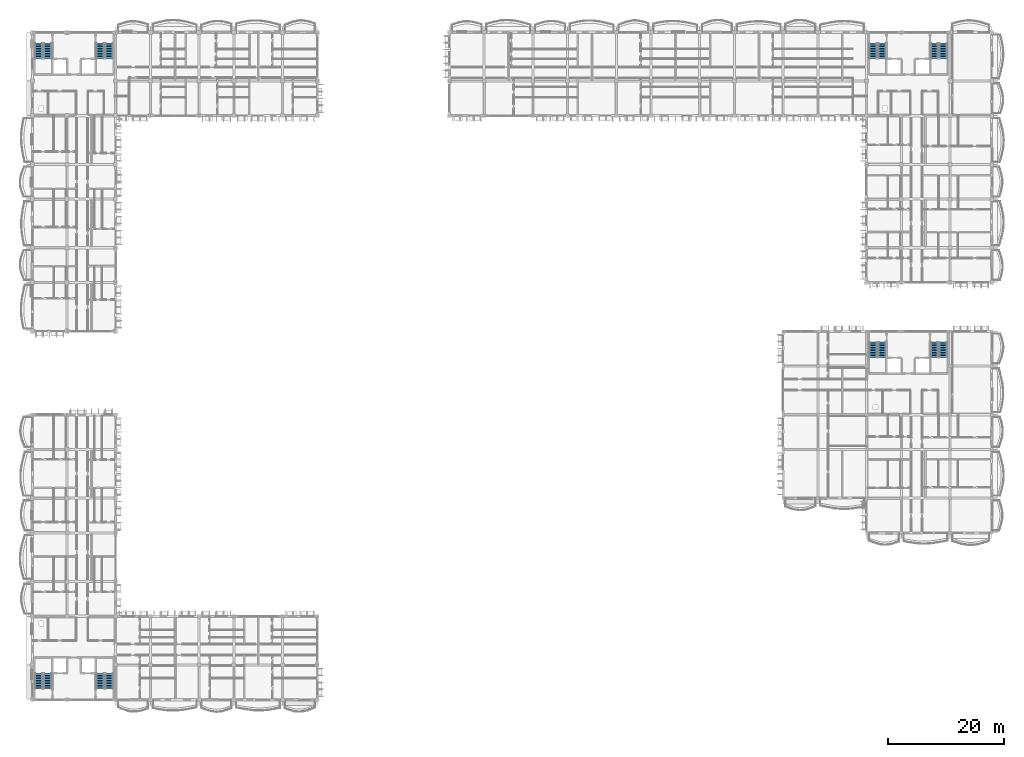
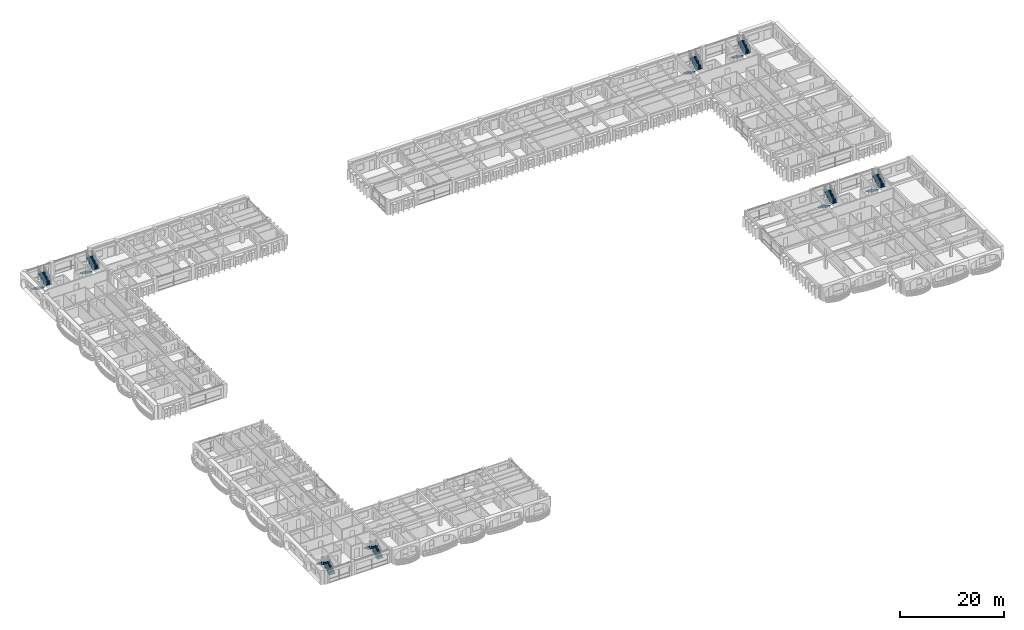
# One storey, part 48 of 76: 16 stair flights, 8 elements without a shape of their own.
"""IFC4 building model written with IfcOpenShell, lengths in metres."""

from ifc_helpers import new_model, si_unit, direction, frame, origin, place, context, subcontext, project, spatial, polyline, outline, extrude, material, type_object, element, aggregate, save


model = new_model("IFC4")

# Units and contexts
model_context = context("Model", 3, precision=1e-05, world=origin(), true_north=direction((0.0, 1.0)))
body_context = subcontext(model_context, "Body", "Model", "MODEL_VIEW")
ifc_project = project(units=[si_unit("LENGTHUNIT", "METRE"), si_unit("AREAUNIT", "SQUARE_METRE"), si_unit("VOLUMEUNIT", "CUBIC_METRE"), si_unit("PLANEANGLEUNIT", "RADIAN"), si_unit("MASSUNIT", "GRAM", prefix="KILO"), si_unit("THERMODYNAMICTEMPERATUREUNIT", "KELVIN")], contexts=[model_context])

# Site, building, storey
site_placement = place(None, origin())
site = spatial("IfcSite", under=ifc_project, at=site_placement, CompositionType="ELEMENT")
building_placement = place(site_placement, origin())
building = spatial("IfcBuilding", under=site, at=building_placement, Name="Thalorik Housing Commons", CompositionType="ELEMENT")
storey_placement = place(building_placement, frame((0.0, 0.0, 18.0)))
storey = spatial("IfcBuildingStorey", under=building, at=storey_placement, Name="L05", CompositionType="ELEMENT", Elevation=18.0)

# Stair, stair flights
ifc_material = material(Name="Precast concrete C40/50", Category="concrete")
stair_type = type_object("IfcStairType", Name="ARC-STR-1350-R20", PredefinedType="HALF_TURN_STAIR", material=ifc_material)
stair_1_placement = place(storey_placement, origin())
stair_1 = element("IfcStair", 1, at=stair_1_placement, inside=storey, type_object=stair_type, Name="L05 Block A Smoke-Proof Stair 1", PredefinedType="HALF_TURN_STAIR")
stair_flight_type = type_object("IfcStairFlightType", Name="ARC-SFLT-1350-R10", PredefinedType="STRAIGHT", material=ifc_material)
stair_flight_1_placement = place(storey_placement, frame((9.52490234375, 121.699951171875, 0.0), z_axis=(0.0, 0.0, 1.0), x_axis=(0.0, -1.0, 0.0)))
stair_flight_1 = element("IfcStairFlight", 2, at=stair_flight_1_placement, type_object=stair_flight_type, Name="ST-A1 flight 1", NumberOfRisers=10, NumberOfTreads=9, PredefinedType="STRAIGHT", RiserHeight=0.165, TreadLength=0.29, context=body_context, shape_type="SweptSolid", body=[
    extrude(outline(polyline([(0.0, 0.0), (0.0, 0.1650390625), (0.2900390625, 0.1650390625), (0.2900390625, 0.330078125), (0.580078125, 0.330078125), (0.580078125, 0.4951171875), (0.8701171875, 0.4951171875), (0.8701171875, 0.659912109375), (1.159912109375, 0.659912109375), (1.159912109375, 0.824951171875), (1.449951171875, 0.824951171875), (1.449951171875, 0.989990234375), (1.739990234375, 0.989990234375), (1.739990234375, 1.155029296875), (2.030029296875, 1.155029296875), (2.030029296875, 1.320068359375), (2.320068359375, 1.320068359375), (2.320068359375, 1.485107421875), (2.610107421875, 1.485107421875), (2.610107421875, 1.64990234375), (2.610107421875, 1.301025390625), (0.323486328125, 0.0), (0.0, 0.0)])), frame((0.0, 0.675048828125, 0.0), z_axis=(0.0, -1.0, 0.0), x_axis=(1.0, 0.0, 0.0)), (0.0, 0.0, 1.0), 1.35009765625),
])
stair_flight_2_placement = place(storey_placement, frame((11.074951171875, 119.090087890625, 1.64990234375), z_axis=(0.0, 0.0, 1.0), x_axis=(0.0, 1.0, 0.0)))
stair_flight_2 = element("IfcStairFlight", 3, at=stair_flight_2_placement, type_object=stair_flight_type, Name="ST-A1 flight 2", NumberOfRisers=10, NumberOfTreads=9, PredefinedType="STRAIGHT", RiserHeight=0.165, TreadLength=0.29, context=body_context, shape_type="SweptSolid", body=[
    extrude(outline(polyline([(0.0, 0.0), (0.0, 0.1650390625), (0.2900390625, 0.1650390625), (0.2900390625, 0.330078125), (0.580078125, 0.330078125), (0.580078125, 0.4951171875), (0.8701171875, 0.4951171875), (0.8701171875, 0.659912109375), (1.159912109375, 0.659912109375), (1.159912109375, 0.824951171875), (1.449951171875, 0.824951171875), (1.449951171875, 0.989990234375), (1.739990234375, 0.989990234375), (1.739990234375, 1.155029296875), (2.030029296875, 1.155029296875), (2.030029296875, 1.320068359375), (2.320068359375, 1.320068359375), (2.320068359375, 1.485107421875), (2.610107421875, 1.485107421875), (2.610107421875, 1.64990234375), (2.610107421875, 1.301025390625), (0.323486328125, 0.0), (0.0, 0.0)])), frame((0.0, 0.675048828125, 0.0), z_axis=(0.0, -1.0, 0.0), x_axis=(1.0, 0.0, 0.0)), (0.0, 0.0, 1.0), 1.35009765625),
])
aggregate(stair_1, [stair_flight_1, stair_flight_2])

stair_2_placement = place(storey_placement, origin())
stair_2 = element("IfcStair", 4, at=stair_2_placement, inside=storey, type_object=stair_type, Name="L05 Block A Smoke-Proof Stair 2", PredefinedType="HALF_TURN_STAIR")
stair_flight_3_placement = place(storey_placement, frame((20.125, 121.699951171875, 0.0), z_axis=(0.0, 0.0, 1.0), x_axis=(0.0, -1.0, 0.0)))
stair_flight_3 = element("IfcStairFlight", 5, at=stair_flight_3_placement, type_object=stair_flight_type, Name="ST-A2 flight 1", NumberOfRisers=10, NumberOfTreads=9, PredefinedType="STRAIGHT", RiserHeight=0.165, TreadLength=0.29, context=body_context, shape_type="SweptSolid", body=[
    extrude(outline(polyline([(0.0, 0.0), (0.0, 0.1650390625), (0.2900390625, 0.1650390625), (0.2900390625, 0.330078125), (0.580078125, 0.330078125), (0.580078125, 0.4951171875), (0.8701171875, 0.4951171875), (0.8701171875, 0.659912109375), (1.159912109375, 0.659912109375), (1.159912109375, 0.824951171875), (1.449951171875, 0.824951171875), (1.449951171875, 0.989990234375), (1.739990234375, 0.989990234375), (1.739990234375, 1.155029296875), (2.030029296875, 1.155029296875), (2.030029296875, 1.320068359375), (2.320068359375, 1.320068359375), (2.320068359375, 1.485107421875), (2.610107421875, 1.485107421875), (2.610107421875, 1.64990234375), (2.610107421875, 1.301025390625), (0.323486328125, 0.0), (0.0, 0.0)])), frame((0.0, 0.675048828125, 0.0), z_axis=(0.0, -1.0, 0.0), x_axis=(1.0, 0.0, 0.0)), (0.0, 0.0, 1.0), 1.35009765625),
])
stair_flight_4_placement = place(storey_placement, frame((21.675048828125, 119.090087890625, 1.64990234375), z_axis=(0.0, 0.0, 1.0), x_axis=(0.0, 1.0, 0.0)))
stair_flight_4 = element("IfcStairFlight", 6, at=stair_flight_4_placement, type_object=stair_flight_type, Name="ST-A2 flight 2", NumberOfRisers=10, NumberOfTreads=9, PredefinedType="STRAIGHT", RiserHeight=0.165, TreadLength=0.29, context=body_context, shape_type="SweptSolid", body=[
    extrude(outline(polyline([(0.0, 0.0), (0.0, 0.1650390625), (0.2900390625, 0.1650390625), (0.2900390625, 0.330078125), (0.580078125, 0.330078125), (0.580078125, 0.4951171875), (0.8701171875, 0.4951171875), (0.8701171875, 0.659912109375), (1.159912109375, 0.659912109375), (1.159912109375, 0.824951171875), (1.449951171875, 0.824951171875), (1.449951171875, 0.989990234375), (1.739990234375, 0.989990234375), (1.739990234375, 1.155029296875), (2.030029296875, 1.155029296875), (2.030029296875, 1.320068359375), (2.320068359375, 1.320068359375), (2.320068359375, 1.485107421875), (2.610107421875, 1.485107421875), (2.610107421875, 1.64990234375), (2.610107421875, 1.301025390625), (0.323486328125, 0.0), (0.0, 0.0)])), frame((0.0, 0.675048828125, 0.0), z_axis=(0.0, -1.0, 0.0), x_axis=(1.0, 0.0, 0.0)), (0.0, 0.0, 1.0), 1.35009765625),
])
aggregate(stair_2, [stair_flight_3, stair_flight_4])

stair_3_placement = place(storey_placement, origin())
stair_3 = element("IfcStair", 7, at=stair_3_placement, inside=storey, type_object=stair_type, Name="L05 Block B Smoke-Proof Stair 1", PredefinedType="HALF_TURN_STAIR")
stair_flight_5_placement = place(storey_placement, frame((153.52490234375, 121.699951171875, 0.0), z_axis=(0.0, 0.0, 1.0), x_axis=(0.0, -1.0, 0.0)))
stair_flight_5 = element("IfcStairFlight", 8, at=stair_flight_5_placement, type_object=stair_flight_type, Name="ST-B1 flight 1", NumberOfRisers=10, NumberOfTreads=9, PredefinedType="STRAIGHT", RiserHeight=0.165, TreadLength=0.29, context=body_context, shape_type="SweptSolid", body=[
    extrude(outline(polyline([(0.0, 0.0), (0.0, 0.1650390625), (0.2900390625, 0.1650390625), (0.2900390625, 0.330078125), (0.580078125, 0.330078125), (0.580078125, 0.4951171875), (0.8701171875, 0.4951171875), (0.8701171875, 0.659912109375), (1.159912109375, 0.659912109375), (1.159912109375, 0.824951171875), (1.449951171875, 0.824951171875), (1.449951171875, 0.989990234375), (1.739990234375, 0.989990234375), (1.739990234375, 1.155029296875), (2.030029296875, 1.155029296875), (2.030029296875, 1.320068359375), (2.320068359375, 1.320068359375), (2.320068359375, 1.485107421875), (2.610107421875, 1.485107421875), (2.610107421875, 1.64990234375), (2.610107421875, 1.301025390625), (0.323486328125, 0.0), (0.0, 0.0)])), frame((0.0, 0.675048828125, 0.0), z_axis=(0.0, -1.0, 0.0), x_axis=(1.0, 0.0, 0.0)), (0.0, 0.0, 1.0), 1.35009765625),
])
stair_flight_6_placement = place(storey_placement, frame((155.074951171875, 119.090087890625, 1.64990234375), z_axis=(0.0, 0.0, 1.0), x_axis=(0.0, 1.0, 0.0)))
stair_flight_6 = element("IfcStairFlight", 9, at=stair_flight_6_placement, type_object=stair_flight_type, Name="ST-B1 flight 2", NumberOfRisers=10, NumberOfTreads=9, PredefinedType="STRAIGHT", RiserHeight=0.165, TreadLength=0.29, context=body_context, shape_type="SweptSolid", body=[
    extrude(outline(polyline([(0.0, 0.0), (0.0, 0.1650390625), (0.2900390625, 0.1650390625), (0.2900390625, 0.330078125), (0.580078125, 0.330078125), (0.580078125, 0.4951171875), (0.8701171875, 0.4951171875), (0.8701171875, 0.659912109375), (1.159912109375, 0.659912109375), (1.159912109375, 0.824951171875), (1.449951171875, 0.824951171875), (1.449951171875, 0.989990234375), (1.739990234375, 0.989990234375), (1.739990234375, 1.155029296875), (2.030029296875, 1.155029296875), (2.030029296875, 1.320068359375), (2.320068359375, 1.320068359375), (2.320068359375, 1.485107421875), (2.610107421875, 1.485107421875), (2.610107421875, 1.64990234375), (2.610107421875, 1.301025390625), (0.323486328125, 0.0), (0.0, 0.0)])), frame((0.0, 0.675048828125, 0.0), z_axis=(0.0, -1.0, 0.0), x_axis=(1.0, 0.0, 0.0)), (0.0, 0.0, 1.0), 1.35009765625),
])
aggregate(stair_3, [stair_flight_5, stair_flight_6])

stair_4_placement = place(storey_placement, origin())
stair_4 = element("IfcStair", 10, at=stair_4_placement, inside=storey, type_object=stair_type, Name="L05 Block B Smoke-Proof Stair 2", PredefinedType="HALF_TURN_STAIR")
stair_flight_7_placement = place(storey_placement, frame((164.125, 121.699951171875, 0.0), z_axis=(0.0, 0.0, 1.0), x_axis=(0.0, -1.0, 0.0)))
stair_flight_7 = element("IfcStairFlight", 11, at=stair_flight_7_placement, type_object=stair_flight_type, Name="ST-B2 flight 1", NumberOfRisers=10, NumberOfTreads=9, PredefinedType="STRAIGHT", RiserHeight=0.165, TreadLength=0.29, context=body_context, shape_type="SweptSolid", body=[
    extrude(outline(polyline([(0.0, 0.0), (0.0, 0.1650390625), (0.2900390625, 0.1650390625), (0.2900390625, 0.330078125), (0.580078125, 0.330078125), (0.580078125, 0.4951171875), (0.8701171875, 0.4951171875), (0.8701171875, 0.659912109375), (1.159912109375, 0.659912109375), (1.159912109375, 0.824951171875), (1.449951171875, 0.824951171875), (1.449951171875, 0.989990234375), (1.739990234375, 0.989990234375), (1.739990234375, 1.155029296875), (2.030029296875, 1.155029296875), (2.030029296875, 1.320068359375), (2.320068359375, 1.320068359375), (2.320068359375, 1.485107421875), (2.610107421875, 1.485107421875), (2.610107421875, 1.64990234375), (2.610107421875, 1.301025390625), (0.323486328125, 0.0), (0.0, 0.0)])), frame((0.0, 0.675048828125, 0.0), z_axis=(0.0, -1.0, 0.0), x_axis=(1.0, 0.0, 0.0)), (0.0, 0.0, 1.0), 1.35009765625),
])
stair_flight_8_placement = place(storey_placement, frame((165.675048828125, 119.090087890625, 1.64990234375), z_axis=(0.0, 0.0, 1.0), x_axis=(0.0, 1.0, 0.0)))
stair_flight_8 = element("IfcStairFlight", 12, at=stair_flight_8_placement, type_object=stair_flight_type, Name="ST-B2 flight 2", NumberOfRisers=10, NumberOfTreads=9, PredefinedType="STRAIGHT", RiserHeight=0.165, TreadLength=0.29, context=body_context, shape_type="SweptSolid", body=[
    extrude(outline(polyline([(0.0, 0.0), (0.0, 0.1650390625), (0.2900390625, 0.1650390625), (0.2900390625, 0.330078125), (0.580078125, 0.330078125), (0.580078125, 0.4951171875), (0.8701171875, 0.4951171875), (0.8701171875, 0.659912109375), (1.159912109375, 0.659912109375), (1.159912109375, 0.824951171875), (1.449951171875, 0.824951171875), (1.449951171875, 0.989990234375), (1.739990234375, 0.989990234375), (1.739990234375, 1.155029296875), (2.030029296875, 1.155029296875), (2.030029296875, 1.320068359375), (2.320068359375, 1.320068359375), (2.320068359375, 1.485107421875), (2.610107421875, 1.485107421875), (2.610107421875, 1.64990234375), (2.610107421875, 1.301025390625), (0.323486328125, 0.0), (0.0, 0.0)])), frame((0.0, 0.675048828125, 0.0), z_axis=(0.0, -1.0, 0.0), x_axis=(1.0, 0.0, 0.0)), (0.0, 0.0, 1.0), 1.35009765625),
])
aggregate(stair_4, [stair_flight_7, stair_flight_8])

stair_5_placement = place(storey_placement, origin())
stair_5 = element("IfcStair", 13, at=stair_5_placement, inside=storey, type_object=stair_type, Name="L05 Block C Smoke-Proof Stair 1", PredefinedType="HALF_TURN_STAIR")
stair_flight_9_placement = place(storey_placement, frame((11.074951171875, 10.300048828125, 0.0), z_axis=(0.0, 0.0, 1.0), x_axis=(0.0, 1.0, 0.0)))
stair_flight_9 = element("IfcStairFlight", 14, at=stair_flight_9_placement, type_object=stair_flight_type, Name="ST-C1 flight 1", NumberOfRisers=10, NumberOfTreads=9, PredefinedType="STRAIGHT", RiserHeight=0.165, TreadLength=0.29, context=body_context, shape_type="SweptSolid", body=[
    extrude(outline(polyline([(0.0, 0.0), (0.0, 0.1650390625), (0.2900390625, 0.1650390625), (0.2900390625, 0.330078125), (0.580078125, 0.330078125), (0.580078125, 0.4951171875), (0.8701171875, 0.4951171875), (0.8701171875, 0.659912109375), (1.159912109375, 0.659912109375), (1.159912109375, 0.824951171875), (1.449951171875, 0.824951171875), (1.449951171875, 0.989990234375), (1.739990234375, 0.989990234375), (1.739990234375, 1.155029296875), (2.030029296875, 1.155029296875), (2.030029296875, 1.320068359375), (2.320068359375, 1.320068359375), (2.320068359375, 1.485107421875), (2.610107421875, 1.485107421875), (2.610107421875, 1.64990234375), (2.610107421875, 1.301025390625), (0.323486328125, 0.0), (0.0, 0.0)])), frame((0.0, 0.675048828125, 0.0), z_axis=(0.0, -1.0, 0.0), x_axis=(1.0, 0.0, 0.0)), (0.0, 0.0, 1.0), 1.35009765625),
])
stair_flight_10_placement = place(storey_placement, frame((9.52490234375, 12.909912109375, 1.64990234375), z_axis=(0.0, 0.0, 1.0), x_axis=(0.0, -1.0, 0.0)))
stair_flight_10 = element("IfcStairFlight", 15, at=stair_flight_10_placement, type_object=stair_flight_type, Name="ST-C1 flight 2", NumberOfRisers=10, NumberOfTreads=9, PredefinedType="STRAIGHT", RiserHeight=0.165, TreadLength=0.29, context=body_context, shape_type="SweptSolid", body=[
    extrude(outline(polyline([(0.0, 0.0), (0.0, 0.1650390625), (0.2900390625, 0.1650390625), (0.2900390625, 0.330078125), (0.580078125, 0.330078125), (0.580078125, 0.4951171875), (0.8701171875, 0.4951171875), (0.8701171875, 0.659912109375), (1.159912109375, 0.659912109375), (1.159912109375, 0.824951171875), (1.449951171875, 0.824951171875), (1.449951171875, 0.989990234375), (1.739990234375, 0.989990234375), (1.739990234375, 1.155029296875), (2.030029296875, 1.155029296875), (2.030029296875, 1.320068359375), (2.320068359375, 1.320068359375), (2.320068359375, 1.485107421875), (2.610107421875, 1.485107421875), (2.610107421875, 1.64990234375), (2.610107421875, 1.301025390625), (0.323486328125, 0.0), (0.0, 0.0)])), frame((0.0, 0.675048828125, 0.0), z_axis=(0.0, -1.0, 0.0), x_axis=(1.0, 0.0, 0.0)), (0.0, 0.0, 1.0), 1.35009765625),
])
aggregate(stair_5, [stair_flight_9, stair_flight_10])

stair_6_placement = place(storey_placement, origin())
stair_6 = element("IfcStair", 16, at=stair_6_placement, inside=storey, type_object=stair_type, Name="L05 Block C Smoke-Proof Stair 2", PredefinedType="HALF_TURN_STAIR")
stair_flight_11_placement = place(storey_placement, frame((21.675048828125, 10.300048828125, 0.0), z_axis=(0.0, 0.0, 1.0), x_axis=(0.0, 1.0, 0.0)))
stair_flight_11 = element("IfcStairFlight", 17, at=stair_flight_11_placement, type_object=stair_flight_type, Name="ST-C2 flight 1", NumberOfRisers=10, NumberOfTreads=9, PredefinedType="STRAIGHT", RiserHeight=0.165, TreadLength=0.29, context=body_context, shape_type="SweptSolid", body=[
    extrude(outline(polyline([(0.0, 0.0), (0.0, 0.1650390625), (0.2900390625, 0.1650390625), (0.2900390625, 0.330078125), (0.580078125, 0.330078125), (0.580078125, 0.4951171875), (0.8701171875, 0.4951171875), (0.8701171875, 0.659912109375), (1.159912109375, 0.659912109375), (1.159912109375, 0.824951171875), (1.449951171875, 0.824951171875), (1.449951171875, 0.989990234375), (1.739990234375, 0.989990234375), (1.739990234375, 1.155029296875), (2.030029296875, 1.155029296875), (2.030029296875, 1.320068359375), (2.320068359375, 1.320068359375), (2.320068359375, 1.485107421875), (2.610107421875, 1.485107421875), (2.610107421875, 1.64990234375), (2.610107421875, 1.301025390625), (0.323486328125, 0.0), (0.0, 0.0)])), frame((0.0, 0.675048828125, 0.0), z_axis=(0.0, -1.0, 0.0), x_axis=(1.0, 0.0, 0.0)), (0.0, 0.0, 1.0), 1.35009765625),
])
stair_flight_12_placement = place(storey_placement, frame((20.125, 12.909912109375, 1.64990234375), z_axis=(0.0, 0.0, 1.0), x_axis=(0.0, -1.0, 0.0)))
stair_flight_12 = element("IfcStairFlight", 18, at=stair_flight_12_placement, type_object=stair_flight_type, Name="ST-C2 flight 2", NumberOfRisers=10, NumberOfTreads=9, PredefinedType="STRAIGHT", RiserHeight=0.165, TreadLength=0.29, context=body_context, shape_type="SweptSolid", body=[
    extrude(outline(polyline([(0.0, 0.0), (0.0, 0.1650390625), (0.2900390625, 0.1650390625), (0.2900390625, 0.330078125), (0.580078125, 0.330078125), (0.580078125, 0.4951171875), (0.8701171875, 0.4951171875), (0.8701171875, 0.659912109375), (1.159912109375, 0.659912109375), (1.159912109375, 0.824951171875), (1.449951171875, 0.824951171875), (1.449951171875, 0.989990234375), (1.739990234375, 0.989990234375), (1.739990234375, 1.155029296875), (2.030029296875, 1.155029296875), (2.030029296875, 1.320068359375), (2.320068359375, 1.320068359375), (2.320068359375, 1.485107421875), (2.610107421875, 1.485107421875), (2.610107421875, 1.64990234375), (2.610107421875, 1.301025390625), (0.323486328125, 0.0), (0.0, 0.0)])), frame((0.0, 0.675048828125, 0.0), z_axis=(0.0, -1.0, 0.0), x_axis=(1.0, 0.0, 0.0)), (0.0, 0.0, 1.0), 1.35009765625),
])
aggregate(stair_6, [stair_flight_11, stair_flight_12])

stair_7_placement = place(storey_placement, origin())
stair_7 = element("IfcStair", 19, at=stair_7_placement, inside=storey, type_object=stair_type, Name="L05 Block D Smoke-Proof Stair 1", PredefinedType="HALF_TURN_STAIR")
stair_flight_13_placement = place(storey_placement, frame((153.52490234375, 70.10009765625, 0.0), z_axis=(0.0, 0.0, 1.0), x_axis=(0.0, -1.0, 0.0)))
stair_flight_13 = element("IfcStairFlight", 20, at=stair_flight_13_placement, type_object=stair_flight_type, Name="ST-D1 flight 1", NumberOfRisers=10, NumberOfTreads=9, PredefinedType="STRAIGHT", RiserHeight=0.165, TreadLength=0.29, context=body_context, shape_type="SweptSolid", body=[
    extrude(outline(polyline([(0.0, 0.0), (0.0, 0.1650390625), (0.2900390625, 0.1650390625), (0.2900390625, 0.330078125), (0.580078125, 0.330078125), (0.580078125, 0.4951171875), (0.8701171875, 0.4951171875), (0.8701171875, 0.659912109375), (1.159912109375, 0.659912109375), (1.159912109375, 0.824951171875), (1.449951171875, 0.824951171875), (1.449951171875, 0.989990234375), (1.739990234375, 0.989990234375), (1.739990234375, 1.155029296875), (2.030029296875, 1.155029296875), (2.030029296875, 1.320068359375), (2.320068359375, 1.320068359375), (2.320068359375, 1.485107421875), (2.610107421875, 1.485107421875), (2.610107421875, 1.64990234375), (2.610107421875, 1.301025390625), (0.323486328125, 0.0), (0.0, 0.0)])), frame((0.0, 0.675048828125, 0.0), z_axis=(0.0, -1.0, 0.0), x_axis=(1.0, 0.0, 0.0)), (0.0, 0.0, 1.0), 1.35009765625),
])
stair_flight_14_placement = place(storey_placement, frame((155.074951171875, 67.489990234375, 1.64990234375), z_axis=(0.0, 0.0, 1.0), x_axis=(0.0, 1.0, 0.0)))
stair_flight_14 = element("IfcStairFlight", 21, at=stair_flight_14_placement, type_object=stair_flight_type, Name="ST-D1 flight 2", NumberOfRisers=10, NumberOfTreads=9, PredefinedType="STRAIGHT", RiserHeight=0.165, TreadLength=0.29, context=body_context, shape_type="SweptSolid", body=[
    extrude(outline(polyline([(0.0, 0.0), (0.0, 0.1650390625), (0.2900390625, 0.1650390625), (0.2900390625, 0.330078125), (0.580078125, 0.330078125), (0.580078125, 0.4951171875), (0.8701171875, 0.4951171875), (0.8701171875, 0.659912109375), (1.159912109375, 0.659912109375), (1.159912109375, 0.824951171875), (1.449951171875, 0.824951171875), (1.449951171875, 0.989990234375), (1.739990234375, 0.989990234375), (1.739990234375, 1.155029296875), (2.030029296875, 1.155029296875), (2.030029296875, 1.320068359375), (2.320068359375, 1.320068359375), (2.320068359375, 1.485107421875), (2.610107421875, 1.485107421875), (2.610107421875, 1.64990234375), (2.610107421875, 1.301025390625), (0.323486328125, 0.0), (0.0, 0.0)])), frame((0.0, 0.675048828125, 0.0), z_axis=(0.0, -1.0, 0.0), x_axis=(1.0, 0.0, 0.0)), (0.0, 0.0, 1.0), 1.35009765625),
])
aggregate(stair_7, [stair_flight_13, stair_flight_14])

stair_8_placement = place(storey_placement, origin())
stair_8 = element("IfcStair", 22, at=stair_8_placement, inside=storey, type_object=stair_type, Name="L05 Block D Smoke-Proof Stair 2", PredefinedType="HALF_TURN_STAIR")
stair_flight_15_placement = place(storey_placement, frame((164.125, 70.10009765625, 0.0), z_axis=(0.0, 0.0, 1.0), x_axis=(0.0, -1.0, 0.0)))
stair_flight_15 = element("IfcStairFlight", 23, at=stair_flight_15_placement, type_object=stair_flight_type, Name="ST-D2 flight 1", NumberOfRisers=10, NumberOfTreads=9, PredefinedType="STRAIGHT", RiserHeight=0.165, TreadLength=0.29, context=body_context, shape_type="SweptSolid", body=[
    extrude(outline(polyline([(0.0, 0.0), (0.0, 0.1650390625), (0.2900390625, 0.1650390625), (0.2900390625, 0.330078125), (0.580078125, 0.330078125), (0.580078125, 0.4951171875), (0.8701171875, 0.4951171875), (0.8701171875, 0.659912109375), (1.159912109375, 0.659912109375), (1.159912109375, 0.824951171875), (1.449951171875, 0.824951171875), (1.449951171875, 0.989990234375), (1.739990234375, 0.989990234375), (1.739990234375, 1.155029296875), (2.030029296875, 1.155029296875), (2.030029296875, 1.320068359375), (2.320068359375, 1.320068359375), (2.320068359375, 1.485107421875), (2.610107421875, 1.485107421875), (2.610107421875, 1.64990234375), (2.610107421875, 1.301025390625), (0.323486328125, 0.0), (0.0, 0.0)])), frame((0.0, 0.675048828125, 0.0), z_axis=(0.0, -1.0, 0.0), x_axis=(1.0, 0.0, 0.0)), (0.0, 0.0, 1.0), 1.35009765625),
])
stair_flight_16_placement = place(storey_placement, frame((165.675048828125, 67.489990234375, 1.64990234375), z_axis=(0.0, 0.0, 1.0), x_axis=(0.0, 1.0, 0.0)))
stair_flight_16 = element("IfcStairFlight", 24, at=stair_flight_16_placement, type_object=stair_flight_type, Name="ST-D2 flight 2", NumberOfRisers=10, NumberOfTreads=9, PredefinedType="STRAIGHT", RiserHeight=0.165, TreadLength=0.29, context=body_context, shape_type="SweptSolid", body=[
    extrude(outline(polyline([(0.0, 0.0), (0.0, 0.1650390625), (0.2900390625, 0.1650390625), (0.2900390625, 0.330078125), (0.580078125, 0.330078125), (0.580078125, 0.4951171875), (0.8701171875, 0.4951171875), (0.8701171875, 0.659912109375), (1.159912109375, 0.659912109375), (1.159912109375, 0.824951171875), (1.449951171875, 0.824951171875), (1.449951171875, 0.989990234375), (1.739990234375, 0.989990234375), (1.739990234375, 1.155029296875), (2.030029296875, 1.155029296875), (2.030029296875, 1.320068359375), (2.320068359375, 1.320068359375), (2.320068359375, 1.485107421875), (2.610107421875, 1.485107421875), (2.610107421875, 1.64990234375), (2.610107421875, 1.301025390625), (0.323486328125, 0.0), (0.0, 0.0)])), frame((0.0, 0.675048828125, 0.0), z_axis=(0.0, -1.0, 0.0), x_axis=(1.0, 0.0, 0.0)), (0.0, 0.0, 1.0), 1.35009765625),
])
aggregate(stair_8, [stair_flight_15, stair_flight_16])

save(model, "model.ifc")
